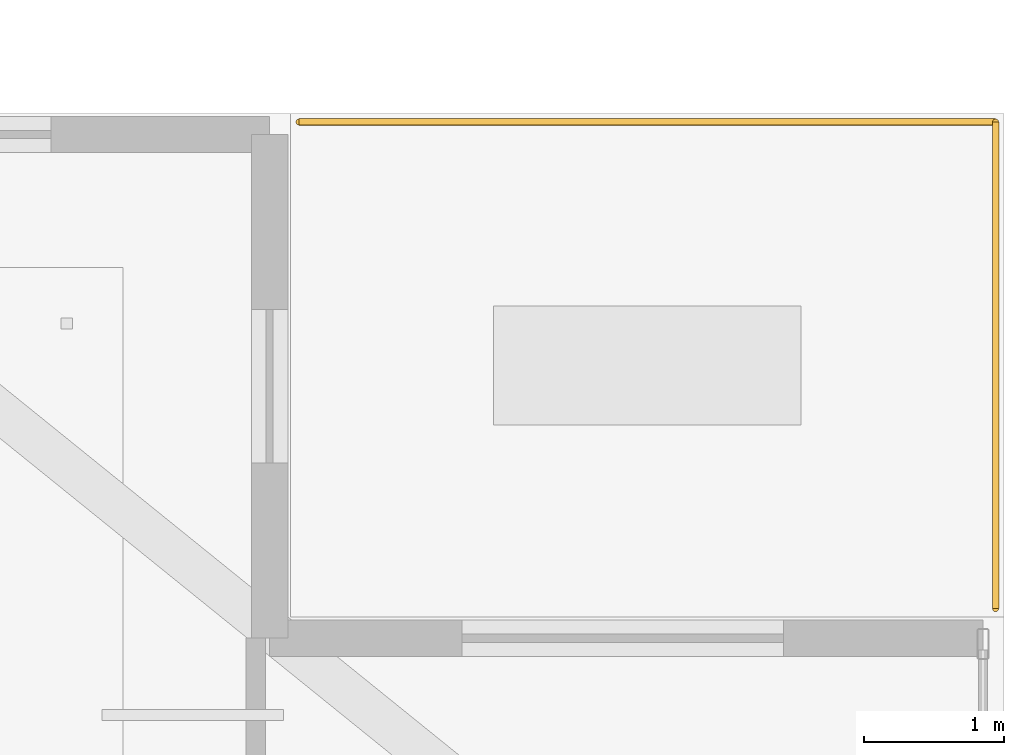
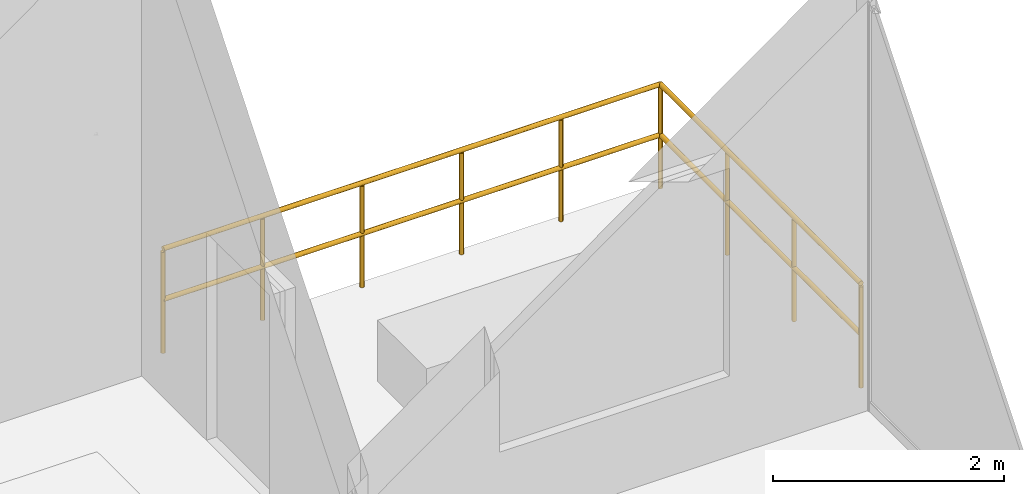
# One storey, part 34 of 34: 2 railings.
"""IFC4 building model written with IfcOpenShell, lengths in metres."""

import ifcopenshell
import ifcopenshell.guid

model = None  # the IFC model being written
_history = None  # IfcOwnerHistory: only IFC2X3 demands one
_inside = {}  # id of a spatial element -> (the spatial element, [elements in it])
_under = {}  # id of a project, library or spatial element -> (it, [spatial elements below it])
_declared = {}  # id of a project -> (the project, [libraries it declares])
_typed = {}  # id of a type object -> (the type object, [elements of that type])
_made_of = {}  # id of a material, layer set ... -> (it, [elements and type objects made of it])


def new_model(schema):
    """Start an empty IFC model of exactly this schema.

    Asked for "IFC4X3", IfcOpenShell would pick the latest addendum, in which some entities
    have other attributes; the version numbers below select the first issue.
    IFC2X3 requires an IfcOwnerHistory on every rooted entity: one is made here for all.
    """
    global model, _history
    if schema == "IFC4X3":
        model = ifcopenshell.file(schema_version=(4, 3, 0, 0))
    else:
        model = ifcopenshell.file(schema=schema)
    _inside.clear()
    _under.clear()
    _declared.clear()
    _typed.clear()
    _made_of.clear()
    _history = None
    if model.schema == "IFC2X3":
        org = make("IfcOrganization", Name="unknown")
        user = make(
            "IfcPersonAndOrganization",
            ThePerson=make("IfcPerson", FamilyName="unknown"),
            TheOrganization=org,
        )
        app = make(
            "IfcApplication",
            ApplicationDeveloper=org,
            Version="unknown",
            ApplicationFullName="unknown",
            ApplicationIdentifier="unknown",
        )
        _history = make(
            "IfcOwnerHistory",
            OwningUser=user,
            OwningApplication=app,
            ChangeAction="ADDED",
            CreationDate=0,
        )
    return model


def make(cls, **values):
    """One entity of the class cls with the attributes given. An attribute that is None is left unset."""
    return model.create_entity(
        cls, **{name: value for name, value in values.items() if value is not None}
    )


def rooted(cls, **values):
    """An entity with a GlobalId (a new one), such as an element, a storey or a relation."""
    return make(cls, GlobalId=ifcopenshell.guid.new(), OwnerHistory=_history, **values)


def si_unit(unit_type, name, prefix=None):
    """IfcSIUnit, for example si_unit("LENGTHUNIT", "METRE", prefix="MILLI")."""
    return make("IfcSIUnit", UnitType=unit_type, Prefix=prefix, Name=name)


def assignment(units):
    """IfcUnitAssignment: the units of a project."""
    return None if units is None else make("IfcUnitAssignment", Units=units)


def point(xyz):
    """IfcCartesianPoint."""
    return None if xyz is None else make("IfcCartesianPoint", Coordinates=xyz)


def direction(xyz):
    """IfcDirection."""
    return None if xyz is None else make("IfcDirection", DirectionRatios=xyz)


def frame(location, z_axis=None, x_axis=None):
    """IfcAxis2Placement3D, a coordinate frame: its origin and axes. An axis left out is left unset."""
    return make(
        "IfcAxis2Placement3D",
        Location=point(location),
        Axis=direction(z_axis),
        RefDirection=direction(x_axis),
    )


def frame_2d(location, x_axis=None):
    """IfcAxis2Placement2D, a coordinate frame in the plane: its origin and x axis."""
    return make(
        "IfcAxis2Placement2D", Location=point(location), RefDirection=direction(x_axis)
    )


def origin():
    """The frame at (0, 0, 0) with its axes left unset."""
    return frame((0.0, 0.0, 0.0))


def origin_2d():
    """The frame at (0, 0) in the plane with its x axis left unset."""
    return frame_2d((0.0, 0.0))


def place(relative_to, where):
    """IfcLocalPlacement: puts the frame where relative to a parent placement (None: the world)."""
    return make(
        "IfcLocalPlacement", PlacementRelTo=relative_to, RelativePlacement=where
    )


def context(
    kind, dimensions, precision=None, world=None, true_north=None, identifier=None
):
    """IfcGeometricRepresentationContext, for example the 3D "Model" context."""
    return make(
        "IfcGeometricRepresentationContext",
        ContextIdentifier=identifier,
        ContextType=kind,
        CoordinateSpaceDimension=dimensions,
        Precision=precision,
        WorldCoordinateSystem=world,
        TrueNorth=true_north,
    )


def subcontext(parent, identifier, kind, view, scale=None):
    """IfcGeometricRepresentationSubContext, for example "Body" below "Model"."""
    return make(
        "IfcGeometricRepresentationSubContext",
        ContextIdentifier=identifier,
        ContextType=kind,
        ParentContext=parent,
        TargetScale=scale,
        TargetView=view,
    )


def project(units=None, contexts=None):
    """IfcProject with its units and contexts."""
    return rooted(
        "IfcProject",
        Name="project",
        RepresentationContexts=contexts,
        UnitsInContext=assignment(units),
    )


def spatial(cls, under=None, at=None, **own):
    """A site, building, storey or space (cls), placed at a placement, below another one or the project."""
    s = rooted(cls, ObjectPlacement=at, **own)
    if under is not None:
        _under.setdefault(under.id(), (under, []))[1].append(s)
    return s


def profile(cls, at=None, kind="AREA", **sizes):
    """A parametric profile (cls). Its sizes go by their IFC names, for example OverallWidth=200.0."""
    return make(cls, ProfileType=kind, Position=at, **sizes)


def circle(**sizes):
    """IfcCircleProfileDef."""
    return profile("IfcCircleProfileDef", **sizes)


def extrude(swept, where, along, depth):
    """IfcExtrudedAreaSolid: the profile swept, set in the frame where, extruded along a direction by depth."""
    return make(
        "IfcExtrudedAreaSolid",
        SweptArea=swept,
        Position=where,
        ExtrudedDirection=direction(along),
        Depth=depth,
    )


def shape(context_of_items, identifier, shape_type, items):
    """IfcShapeRepresentation: the items that make up one representation, for example the "Body"."""
    return make(
        "IfcShapeRepresentation",
        ContextOfItems=context_of_items,
        RepresentationIdentifier=identifier,
        RepresentationType=shape_type,
        Items=items,
    )


def material(Name=None, Category=None):
    """IfcMaterial."""
    return make("IfcMaterial", Name=Name, Category=Category)


def made_of(thing, what):
    """Note that an element or type object is made of a material, layer set ...; save() writes the relation."""
    if what is not None:
        _made_of.setdefault(what.id(), (what, []))[1].append(thing)
    return thing


def type_object(cls, material=None, **own):
    """A type object (cls), such as IfcWallType, which elements share."""
    return made_of(rooted(cls, **own), material)


def element(
    cls,
    number,
    at=None,
    inside=None,
    cuts=None,
    type_object=None,
    material=None,
    context=None,
    identifier="Body",
    shape_type=None,
    held_by="IfcProductDefinitionShape",
    body=None,
    shapes=None,
    **own,
):
    """One element of the class cls, such as IfcWall. Its Tag is "e" and its number.

    at: its placement. inside: the storey or other place that contains it. cuts: it is an
    opening in that element (IfcRelVoidsElement). A single representation is given by context,
    identifier, shape_type and body (its items); several are given by shapes. held_by: the class
    of the entity that holds the representations. save() writes the other relations.
    """
    e = rooted(cls, Tag="e%d" % number, ObjectPlacement=at, **own)
    if body is not None:
        shapes = [shape(context, identifier, shape_type, body)]
    if shapes is not None:
        e.Representation = make(held_by, Representations=shapes)
    if inside is not None:
        _inside.setdefault(inside.id(), (inside, []))[1].append(e)
    if cuts is not None:
        rooted(
            "IfcRelVoidsElement", RelatingBuildingElement=cuts, RelatedOpeningElement=e
        )
    if type_object is not None:
        _typed.setdefault(type_object.id(), (type_object, []))[1].append(e)
    return made_of(e, material)


def aggregate(whole, parts):
    """IfcRelAggregates: a whole, such as a stair, and the parts it consists of."""
    return rooted("IfcRelAggregates", RelatingObject=whole, RelatedObjects=parts)


def save(model, path):
    """Write the relations noted so far, then the file.

    IfcRelAggregates (storeys below a building ...), IfcRelContainedInSpatialStructure (elements
    in a storey), IfcRelDefinesByType, IfcRelAssociatesMaterial and IfcRelDeclares: one each for
    every whole, place, type object, material and project.
    """
    for whole, parts in _under.values():
        aggregate(whole, parts)
    for where, things in _inside.values():
        rooted(
            "IfcRelContainedInSpatialStructure",
            RelatedElements=things,
            RelatingStructure=where,
        )
    for kind, things in _typed.values():
        rooted("IfcRelDefinesByType", RelatedObjects=things, RelatingType=kind)
    for what, things in _made_of.values():
        rooted("IfcRelAssociatesMaterial", RelatedObjects=things, RelatingMaterial=what)
    for by, libraries in _declared.values():
        rooted("IfcRelDeclares", RelatingContext=by, RelatedDefinitions=libraries)
    model.write(path)


model = new_model("IFC4")

# Units and contexts
model_context = context("Model", 3, precision=1e-05, world=origin(), true_north=direction((0.0, 1.0)))
body_context = subcontext(model_context, "Body", "Model", "MODEL_VIEW")
ifc_project = project(units=[si_unit("LENGTHUNIT", "METRE"), si_unit("AREAUNIT", "SQUARE_METRE"), si_unit("VOLUMEUNIT", "CUBIC_METRE"), si_unit("PLANEANGLEUNIT", "RADIAN"), si_unit("MASSUNIT", "GRAM", prefix="KILO")], contexts=[model_context])

# Site, building, storey
site_placement = place(None, origin())
site = spatial("IfcSite", under=ifc_project, at=site_placement, CompositionType="ELEMENT")
building_placement = place(site_placement, origin())
building = spatial("IfcBuilding", under=site, at=building_placement, Name="Tarnavaz Court Tower", CompositionType="ELEMENT")
storey_placement = place(building_placement, frame((0.0, 0.0, 231.75)))
storey = spatial("IfcBuildingStorey", under=building, at=storey_placement, Name="L63", CompositionType="ELEMENT", Elevation=231.75)

# Railings
ifc_material = material(Name="Anodised Aluminium 6063-T6 and Laminated Safety Glass", Category="aluminium")
railing_type = type_object("IfcRailingType", Name="RL-BAL-1120", PredefinedType="BALUSTRADE", material=ifc_material)
railing_1_placement = place(storey_placement, frame((23.639892578125, 17.4599609375, 0.0)))
element("IfcRailing", 1, at=railing_1_placement, inside=storey, type_object=railing_type, Name="L63 Terrace 1 E Perimeter Balustrade", PredefinedType="BALUSTRADE", context=body_context, shape_type="SweptSolid", body=[
    extrude(circle(Radius=0.02392578125, at=origin_2d()), frame((0.0, 0.0, 1.09619140625), z_axis=(0.0, 1.0, 0.0), x_axis=(-1.0, 0.0, 0.0)), (0.0, 0.0, 1.0), 3.47998046875),
    extrude(circle(Radius=0.02392578125, at=origin_2d()), frame((0.0, 0.0, 0.56005859375), z_axis=(0.0, 1.0, 0.0), x_axis=(-1.0, 0.0, 0.0)), (0.0, 0.0, 1.0), 3.47998046875),
    extrude(circle(Radius=0.02099609375, at=origin_2d()), origin(), (0.0, 0.0, 1.0), 1.072021484375),
    extrude(circle(Radius=0.02099609375, at=origin_2d()), frame((0.0, 1.159912109375, 0.0)), (0.0, 0.0, 1.0), 1.072021484375),
    extrude(circle(Radius=0.02099609375, at=origin_2d()), frame((0.0, 2.320068359375, 0.0)), (0.0, 0.0, 1.0), 1.072021484375),
    extrude(circle(Radius=0.02099609375, at=origin_2d()), frame((0.0, 3.47998046875, 0.0)), (0.0, 0.0, 1.0), 1.072021484375),
])
railing_2_placement = place(storey_placement, frame((23.639892578125, 20.93994140625, 0.0)))
element("IfcRailing", 2, at=railing_2_placement, inside=storey, type_object=railing_type, Name="L63 Terrace 1 N Perimeter Balustrade", PredefinedType="BALUSTRADE", context=body_context, shape_type="SweptSolid", body=[
    extrude(circle(Radius=0.02392578125, at=origin_2d()), frame((0.0, 0.0, 1.09619140625), z_axis=(-1.0, 0.0, 0.0), x_axis=(0.0, -1.0, 0.0)), (0.0, 0.0, 1.0), 4.97998046875),
    extrude(circle(Radius=0.02392578125, at=origin_2d()), frame((0.0, 0.0, 0.56005859375), z_axis=(-1.0, 0.0, 0.0), x_axis=(0.0, -1.0, 0.0)), (0.0, 0.0, 1.0), 4.97998046875),
    extrude(circle(Radius=0.02099609375, at=origin_2d()), origin(), (0.0, 0.0, 1.0), 1.072021484375),
    extrude(circle(Radius=0.02099609375, at=origin_2d()), frame((-0.99609375, 0.0, 0.0)), (0.0, 0.0, 1.0), 1.072021484375),
    extrude(circle(Radius=0.02099609375, at=origin_2d()), frame((-1.991943359375, 0.0, 0.0)), (0.0, 0.0, 1.0), 1.072021484375),
    extrude(circle(Radius=0.02099609375, at=origin_2d()), frame((-2.988037109375, 0.0, 0.0)), (0.0, 0.0, 1.0), 1.072021484375),
    extrude(circle(Radius=0.02099609375, at=origin_2d()), frame((-3.98388671875, 0.0, 0.0)), (0.0, 0.0, 1.0), 1.072021484375),
    extrude(circle(Radius=0.02099609375, at=origin_2d()), frame((-4.97998046875, 0.0, 0.0)), (0.0, 0.0, 1.0), 1.072021484375),
])

save(model, "model.ifc")
